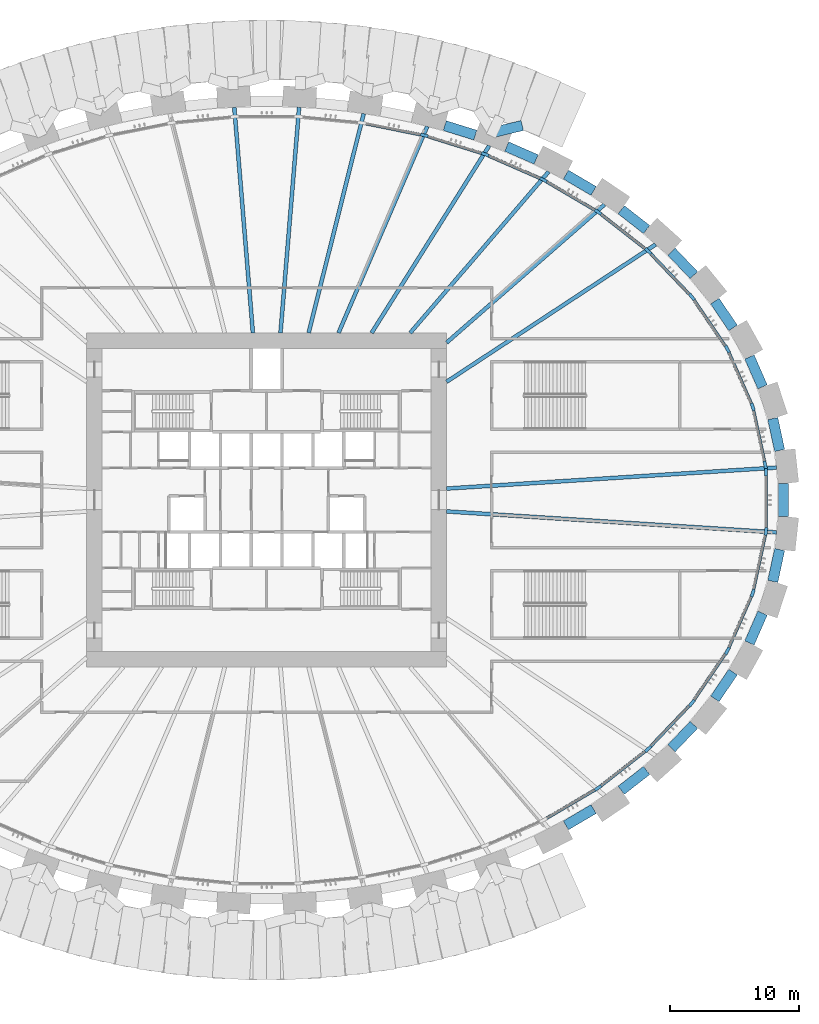
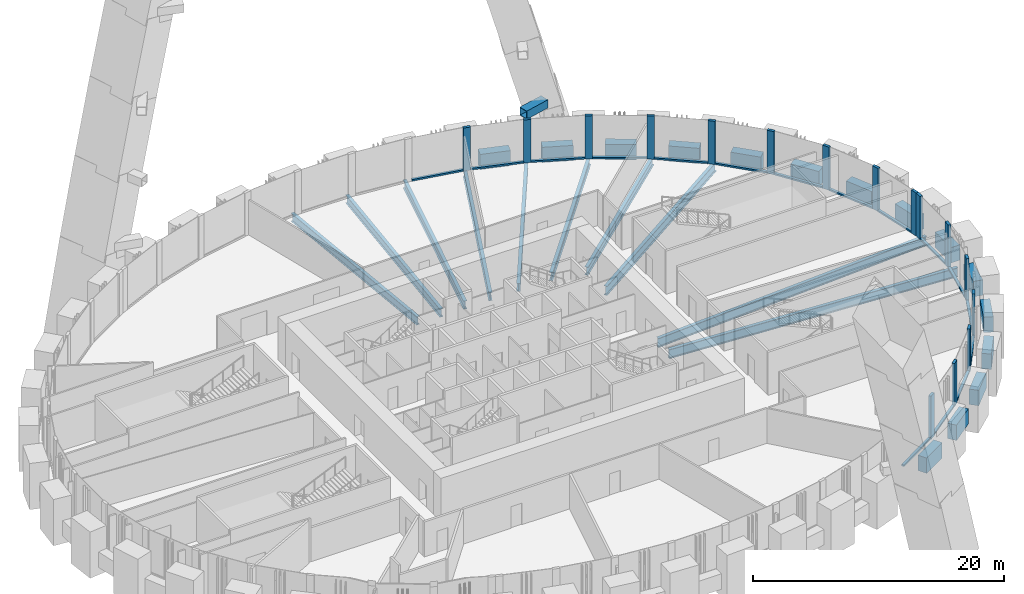
# One storey, part 4 of 23: 33 members, 25 beams, 2 elements without a shape of their own.
"""IFC4 building model written with IfcOpenShell, lengths in metres."""

from ifc_helpers import new_model, si_unit, direction, frame, origin, origin_2d, place, context, subcontext, project, spatial, rectangle, hollow_rectangle, i_section, extrude, source, transform, mapped, material, material_profile, profile_set, type_object, element, aggregate, save


model = new_model("IFC4")

# Units and contexts
model_context = context("Model", 3, precision=1e-05, world=origin(), true_north=direction((0.0, 1.0)))
body_context = subcontext(model_context, "Body", "Model", "MODEL_VIEW")
ifc_project = project(units=[si_unit("LENGTHUNIT", "METRE"), si_unit("AREAUNIT", "SQUARE_METRE"), si_unit("VOLUMEUNIT", "CUBIC_METRE"), si_unit("PLANEANGLEUNIT", "RADIAN"), si_unit("MASSUNIT", "GRAM", prefix="KILO")], contexts=[model_context])

# Site, building, storey
site_placement = place(None, origin())
site = spatial("IfcSite", under=ifc_project, at=site_placement, CompositionType="ELEMENT")
building_placement = place(site_placement, origin())
building = spatial("IfcBuilding", under=site, at=building_placement, Name="Embergate Tower", CompositionType="ELEMENT")
storey_placement = place(building_placement, frame((0.0, 0.0, 29.0)))
storey = spatial("IfcBuildingStorey", under=building, at=storey_placement, Name="L03", CompositionType="ELEMENT", Elevation=29.0)

# Beams
ifc_material_1 = material(Name="Concrete C70", Category="concrete")
ifc_material_profile_1 = material_profile(ifc_material_1, rectangle(XDim=0.800048828125, YDim=1.5, at=origin_2d()), Name="RC 800x1500")
ifc_profile_set_1 = profile_set([ifc_material_profile_1], Name="Concrete C70")
beam_type_1 = type_object("IfcBeamType", Name="Spandrel beam RC 800x1500 C70", PredefinedType="BEAM", material=ifc_profile_set_1)
shared_shape_1 = source(origin(), body_context, "Body", "SweptSolid", [
    extrude(rectangle(XDim=0.800048828125, YDim=1.5, at=origin_2d()), origin(), (0.0, 0.0, 1.0), 2.53369140625),
])
for number, where, z_axis, x_axis, name in (
    (1, (39.905029296875, 3.85302734375, 0.0), (-0.210344985956, 0.977627222863, 0.0), (-0.977627222863, -0.210344985956, 0.0), "SPN-L03-00"),
    (2, (39.3720703125, -6.330078125, 0.0), (0.210344985956, 0.977627222863, 0.0), (-0.977627222863, 0.210344985956, 0.0), "SPN-L03-42"),
):
    element("IfcBeam", number, at=place(storey_placement, frame(where, z_axis=z_axis, x_axis=x_axis)), inside=storey, type_object=beam_type_1, Name=name, PredefinedType="BEAM", context=body_context, shape_type="MappedRepresentation", body=[
        mapped(shared_shape_1, transform((0.0, 0.0, 0.0))),
    ])
shared_shape_2 = source(origin(), body_context, "Body", "SweptSolid", [
    extrude(rectangle(XDim=0.800048828125, YDim=1.5, at=origin_2d()), origin(), (0.0, 0.0, 1.0), 2.530029296875),
])
for number, where, z_axis, x_axis, name in (
    (3, (38.572998046875, 8.803955078125, 0.0), (-0.401603284719, 0.91581373745, 0.0), (-0.91581373745, -0.401603284719, 0.0), "SPN-L03-01"),
    (4, (37.556884765625, -11.12109375, 0.0), (0.401603284719, 0.91581373745, 0.0), (-0.91581373745, 0.401603284719, 0.0), "SPN-L03-41"),
):
    element("IfcBeam", number, at=place(storey_placement, frame(where, z_axis=z_axis, x_axis=x_axis)), inside=storey, type_object=beam_type_1, Name=name, PredefinedType="BEAM", context=body_context, shape_type="MappedRepresentation", body=[
        mapped(shared_shape_2, transform((0.0, 0.0, 0.0))),
    ])
shared_shape_3 = source(origin(), body_context, "Body", "SweptSolid", [
    extrude(rectangle(XDim=0.800048828125, YDim=1.5, at=origin_2d()), origin(), (0.0, 0.0, 1.0), 2.52001953125),
])
for number, where, z_axis, x_axis, name in (
    (5, (36.281005859375, 13.385986328125, 0.0), (-0.562278223056, 0.826948124054, 0.0), (-0.826948124054, -0.562278223056, 0.0), "SPN-L03-02"),
    (6, (34.864013671875, -15.469970703125, 0.0), (0.562278223056, 0.826948124054, 0.0), (-0.826948124054, 0.562278223056, 0.0), "SPN-L03-40"),
):
    element("IfcBeam", number, at=place(storey_placement, frame(where, z_axis=z_axis, x_axis=x_axis)), inside=storey, type_object=beam_type_1, Name=name, PredefinedType="BEAM", context=body_context, shape_type="MappedRepresentation", body=[
        mapped(shared_shape_3, transform((0.0, 0.0, 0.0))),
    ])
shared_shape_4 = source(origin(), body_context, "Body", "SweptSolid", [
    extrude(rectangle(XDim=0.800048828125, YDim=1.5, at=origin_2d()), origin(), (0.0, 0.0, 1.0), 2.513671875),
])
for number, where, z_axis, x_axis, name in (
    (7, (33.23095703125, 17.492919921875, 0.0), (-0.690154595943, 0.723661960931, 0.0), (-0.723661960931, -0.690154595943, 0.0), "SPN-L03-03"),
    (8, (31.49609375, -19.31201171875, 0.0), (0.690154595943, 0.723661960931, 0.0), (-0.723661960931, 0.690154595943, 0.0), "SPN-L03-39"),
):
    element("IfcBeam", number, at=place(storey_placement, frame(where, z_axis=z_axis, x_axis=x_axis)), inside=storey, type_object=beam_type_1, Name=name, PredefinedType="BEAM", context=body_context, shape_type="MappedRepresentation", body=[
        mapped(shared_shape_4, transform((0.0, 0.0, 0.0))),
    ])
shared_shape_5 = source(origin(), body_context, "Body", "SweptSolid", [
    extrude(rectangle(XDim=0.800048828125, YDim=1.5, at=origin_2d()), origin(), (0.0, 0.0, 1.0), 2.5048828125),
])
for number, where, z_axis, x_axis, name in (
    (9, (29.554931640625, 21.0419921875, 0.0), (-0.788380346305, 0.61518812534, 0.0), (-0.61518812534, -0.788380346305, 0.0), "SPN-L03-04"),
    (10, (27.580078125, -22.5830078125, 0.0), (0.788380346305, 0.61518812534, 0.0), (-0.61518812534, 0.788380346305, 0.0), "SPN-L03-38"),
):
    element("IfcBeam", number, at=place(storey_placement, frame(where, z_axis=z_axis, x_axis=x_axis)), inside=storey, type_object=beam_type_1, Name=name, PredefinedType="BEAM", context=body_context, shape_type="MappedRepresentation", body=[
        mapped(shared_shape_5, transform((0.0, 0.0, 0.0))),
    ])
shared_shape_6 = source(origin(), body_context, "Body", "SweptSolid", [
    extrude(rectangle(XDim=0.800048828125, YDim=1.5, at=origin_2d()), origin(), (0.0, 0.0, 1.0), 2.5),
])
for number, where, z_axis, x_axis, name in (
    (11, (25.429931640625, 24.044921875, 0.0), (-0.862034618657, 0.506849401929, 0.0), (-0.506849401929, -0.862034618657, 0.0), "SPN-L03-05"),
    (12, (23.27490234375, -25.31201171875, 0.0), (0.862034618657, 0.506849401929, 0.0), (-0.506849401929, 0.862034618657, 0.0), "SPN-L03-37"),
):
    element("IfcBeam", number, at=place(storey_placement, frame(where, z_axis=z_axis, x_axis=x_axis)), inside=storey, type_object=beam_type_1, Name=name, PredefinedType="BEAM", context=body_context, shape_type="MappedRepresentation", body=[
        mapped(shared_shape_6, transform((0.0, 0.0, 0.0))),
    ])
shared_shape_7 = source(origin(), body_context, "Body", "SweptSolid", [
    extrude(rectangle(XDim=0.800048828125, YDim=1.5, at=origin_2d()), origin(), (0.0, 0.0, 1.0), 2.496337890625),
])
beam_1_placement = place(storey_placement, frame((20.958984375, 26.492919921875, 0.0), z_axis=(-0.916087739171, 0.400977872382, 0.0), x_axis=(-0.400977872382, -0.916087739171, 0.0)))
element("IfcBeam", 13, at=beam_1_placement, inside=storey, type_object=beam_type_1, Name="SPN-L03-06", PredefinedType="BEAM", context=body_context, shape_type="MappedRepresentation", body=[
    mapped(shared_shape_7, transform((0.0, 0.0, 0.0))),
])
shared_shape_8 = source(origin(), body_context, "Body", "SweptSolid", [
    extrude(rectangle(XDim=0.800048828125, YDim=1.5, at=origin_2d()), origin(), (0.0, 0.0, 1.0), 2.49169921875),
])
beam_2_placement = place(storey_placement, frame((16.22900390625, 28.384033203125, 0.0), z_axis=(-0.954758519321, 0.297382194801, 0.0), x_axis=(-0.297382194801, -0.954758519321, 0.0)))
element("IfcBeam", 14, at=beam_2_placement, inside=storey, type_object=beam_type_1, Name="SPN-L03-07", PredefinedType="BEAM", context=body_context, shape_type="MappedRepresentation", body=[
    mapped(shared_shape_8, transform((0.0, 0.0, 0.0))),
])
shared_shape_9 = source(origin(), body_context, "Body", "SweptSolid", [
    extrude(rectangle(XDim=0.800048828125, YDim=1.5, at=origin_2d()), origin(), (0.0, 0.0, 1.0), 2.5400390625),
])
beam_3_placement = place(storey_placement, frame((40.200927734375, -1.27001953125, 0.0), z_axis=(0.0, 1.0, 0.0), x_axis=(-1.0, 0.0, 0.0)))
element("IfcBeam", 15, at=beam_3_placement, inside=storey, type_object=beam_type_1, Name="SPN-L03-43", PredefinedType="BEAM", context=body_context, shape_type="MappedRepresentation", body=[
    mapped(shared_shape_9, transform((0.0, 0.0, 0.0))),
])
ifc_material_2 = material(Name="Steel Q355B", Category="steel")
ifc_material_profile_2 = material_profile(ifc_material_2, i_section(OverallWidth=0.300048828125, OverallDepth=0.89990234375, WebThickness=0.01611328125, FlangeThickness=0.028076171875, FilletRadius=0.028076171875, at=origin_2d()), Name="HN 900x300x16x28")
ifc_profile_set_2 = profile_set([ifc_material_profile_2], Name="Steel Q355 grade B")
beam_type_2 = type_object("IfcBeamType", Name="Radial girder HN 900x300x16x28", PredefinedType="BEAM", material=ifc_profile_set_2)
shared_shape_10 = source(origin(), body_context, "Body", "SweptSolid", [
    extrude(i_section(OverallWidth=0.300048828125, OverallDepth=0.89990234375, WebThickness=0.01611328125, FlangeThickness=0.028076171875, FilletRadius=0.028076171875, at=origin_2d()), origin(), (0.0, 0.0, 1.0), 25.712646484375),
])
for number, where, z_axis, x_axis, name in (
    (16, (39.660888671875, 2.52001953125, -0.75), (-0.997985923003, -0.063435774512, 0.0), (0.063435774512, -0.997985923003, 0.0), "GIR-L03-00"),
    (17, (39.660888671875, -2.52001953125, -0.75), (-0.997985923003, 0.063435774512, 0.0), (-0.063435774512, -0.997985923003, 0.0), "GIR-L03-43"),
):
    element("IfcBeam", number, at=place(storey_placement, frame(where, z_axis=z_axis, x_axis=x_axis)), inside=storey, type_object=beam_type_2, Name=name, PredefinedType="BEAM", context=body_context, shape_type="MappedRepresentation", body=[
        mapped(shared_shape_10, transform((0.0, 0.0, 0.0))),
    ])
shared_shape_11 = source(origin(), body_context, "Body", "SweptSolid", [
    extrude(i_section(OverallWidth=0.300048828125, OverallDepth=0.89990234375, WebThickness=0.01611328125, FlangeThickness=0.028076171875, FilletRadius=0.028076171875, at=origin_2d()), origin(), (0.0, 0.0, 1.0), 19.456787109375),
])
beam_4_placement = place(storey_placement, frame((30.260986328125, 19.883056640625, -0.75), z_axis=(-0.835745789204, -0.549116541208, 0.0), x_axis=(0.549116541208, -0.835745789204, 0.0)))
element("IfcBeam", 18, at=beam_4_placement, inside=storey, type_object=beam_type_2, Name="GIR-L03-04", PredefinedType="BEAM", context=body_context, shape_type="MappedRepresentation", body=[
    mapped(shared_shape_11, transform((0.0, 0.0, 0.0))),
])
ifc_material_profile_3 = material_profile(ifc_material_2, i_section(OverallWidth=0.300048828125, OverallDepth=0.800048828125, WebThickness=0.013916015625, FlangeThickness=0.02587890625, FilletRadius=0.028076171875, at=origin_2d()), Name="HN 800x300x14x26")
ifc_profile_set_3 = profile_set([ifc_material_profile_3], Name="Steel Q355 grade B")
beam_type_3 = type_object("IfcBeamType", Name="Radial girder HN 800x300x14x26", PredefinedType="BEAM", material=ifc_profile_set_3)
shared_shape_12 = source(origin(), body_context, "Body", "SweptSolid", [
    extrude(i_section(OverallWidth=0.300048828125, OverallDepth=0.800048828125, WebThickness=0.013916015625, FlangeThickness=0.02587890625, FilletRadius=0.028076171875, at=origin_2d()), origin(), (0.0, 0.0, 1.0), 16.318359375),
])
beam_5_placement = place(storey_placement, frame((26.283935546875, 22.986083984375, -0.699951171875), z_axis=(-0.752766655838, -0.658287446226, 0.0), x_axis=(0.658287446226, -0.752766655838, 0.0)))
element("IfcBeam", 19, at=beam_5_placement, inside=storey, type_object=beam_type_3, Name="GIR-L03-05", PredefinedType="BEAM", context=body_context, shape_type="MappedRepresentation", body=[
    mapped(shared_shape_12, transform((0.0, 0.0, 0.0))),
])
shared_shape_13 = source(origin(), body_context, "Body", "SweptSolid", [
    extrude(i_section(OverallWidth=0.300048828125, OverallDepth=0.800048828125, WebThickness=0.013916015625, FlangeThickness=0.02587890625, FilletRadius=0.028076171875, at=origin_2d()), origin(), (0.0, 0.0, 1.0), 16.532958984375),
])
beam_6_placement = place(storey_placement, frame((21.93505859375, 25.54296875, -0.699951171875), z_axis=(-0.651484275962, -0.758662137038, 0.0), x_axis=(0.758662137038, -0.651484275962, 0.0)))
element("IfcBeam", 20, at=beam_6_placement, inside=storey, type_object=beam_type_3, Name="GIR-L03-06", PredefinedType="BEAM", context=body_context, shape_type="MappedRepresentation", body=[
    mapped(shared_shape_13, transform((0.0, 0.0, 0.0))),
])
shared_shape_14 = source(origin(), body_context, "Body", "SweptSolid", [
    extrude(i_section(OverallWidth=0.300048828125, OverallDepth=0.800048828125, WebThickness=0.013916015625, FlangeThickness=0.02587890625, FilletRadius=0.028076171875, at=origin_2d()), origin(), (0.0, 0.0, 1.0), 17.198974609375),
])
beam_7_placement = place(storey_placement, frame((17.31103515625, 27.56494140625, -0.699951171875), z_axis=(-0.53183253191, -0.846849548622, 0.0), x_axis=(0.846849548622, -0.53183253191, 0.0)))
element("IfcBeam", 21, at=beam_7_placement, inside=storey, type_object=beam_type_3, Name="GIR-L03-07", PredefinedType="BEAM", context=body_context, shape_type="MappedRepresentation", body=[
    mapped(shared_shape_14, transform((0.0, 0.0, 0.0))),
])
shared_shape_15 = source(origin(), body_context, "Body", "SweptSolid", [
    extrude(i_section(OverallWidth=0.300048828125, OverallDepth=0.800048828125, WebThickness=0.013916015625, FlangeThickness=0.02587890625, FilletRadius=0.028076171875, at=origin_2d()), origin(), (0.0, 0.0, 1.0), 17.4873046875),
])
beam_8_placement = place(storey_placement, frame((12.493896484375, 29.06591796875, -0.699951171875), z_axis=(-0.39491487199, -0.918717717191, 0.0), x_axis=(0.918717717191, -0.39491487199, 0.0)))
element("IfcBeam", 22, at=beam_8_placement, inside=storey, type_object=beam_type_3, Name="GIR-L03-08", PredefinedType="BEAM", context=body_context, shape_type="MappedRepresentation", body=[
    mapped(shared_shape_15, transform((0.0, 0.0, 0.0))),
])
shared_shape_16 = source(origin(), body_context, "Body", "SweptSolid", [
    extrude(i_section(OverallWidth=0.300048828125, OverallDepth=0.800048828125, WebThickness=0.013916015625, FlangeThickness=0.02587890625, FilletRadius=0.028076171875, at=origin_2d()), origin(), (0.0, 0.0, 1.0), 17.58740234375),
])
beam_9_placement = place(storey_placement, frame((7.544921875, 30.05810546875, -0.699951171875), z_axis=(-0.243469663702, -0.969908512622, 0.0), x_axis=(0.969908512622, -0.243469663702, 0.0)))
element("IfcBeam", 23, at=beam_9_placement, inside=storey, type_object=beam_type_3, Name="GIR-L03-09", PredefinedType="BEAM", context=body_context, shape_type="MappedRepresentation", body=[
    mapped(shared_shape_16, transform((0.0, 0.0, 0.0))),
])
shared_shape_17 = source(origin(), body_context, "Body", "SweptSolid", [
    extrude(i_section(OverallWidth=0.300048828125, OverallDepth=0.800048828125, WebThickness=0.013916015625, FlangeThickness=0.02587890625, FilletRadius=0.028076171875, at=origin_2d()), origin(), (0.0, 0.0, 1.0), 17.61083984375),
])
for number, where, z_axis, x_axis, name in (
    (24, (2.52294921875, 30.551025390625, -0.699951171875), (-0.082277913647, -0.996609424462, 0.0), (0.996609424462, -0.082277913647, 0.0), "GIR-L03-10"),
    (25, (-2.52294921875, 30.551025390625, -0.699951171875), (0.082277913647, -0.996609424462, 0.0), (0.996609424462, 0.082277913647, 0.0), "GIR-L03-11"),
):
    element("IfcBeam", number, at=place(storey_placement, frame(where, z_axis=z_axis, x_axis=x_axis)), inside=storey, type_object=beam_type_3, Name=name, PredefinedType="BEAM", context=body_context, shape_type="MappedRepresentation", body=[
        mapped(shared_shape_17, transform((0.0, 0.0, 0.0))),
    ])

# Member
ifc_material_3 = material(Name="Steel Q355D", Category="steel")
ifc_material_profile_4 = material_profile(ifc_material_3, hollow_rectangle(XDim=0.800048828125, YDim=0.800048828125, WallThickness=0.0400390625, at=origin_2d()), Name="BOX 800x800x40")
ifc_profile_set_4 = profile_set([ifc_material_profile_4], Name="Steel Q355 grade D")
member_type_1 = type_object("IfcMemberType", Name="Arch ring tie BOX 800x800x40", PredefinedType="STRUT", material=ifc_profile_set_4)
shared_shape_18 = source(origin(), body_context, "Body", "SweptSolid", [
    extrude(hollow_rectangle(XDim=0.800048828125, YDim=0.800048828125, WallThickness=0.0400390625, at=origin_2d()), origin(), (0.0, 0.0, 1.0), 2.318359375),
])
member_1_placement = place(storey_placement, frame((17.6240234375, 28.597900390625, 3.5), z_axis=(0.9729957038, 0.230823223239, 0.0), x_axis=(-0.230823223239, 0.9729957038, 0.0)))
element("IfcMember", 26, at=member_1_placement, inside=storey, type_object=member_type_1, Name="ARC-N-AT01", PredefinedType="STRUT", context=body_context, shape_type="MappedRepresentation", body=[
    mapped(shared_shape_18, transform((0.0, 0.0, 0.0))),
])

# Curtain wall, members
ifc_material_4 = material(Name="Aluminium and glass", Category="aluminium")
curtain_wall_type = type_object("IfcCurtainWallType", Name="Podium base glazing", PredefinedType="NOTDEFINED", material=ifc_material_4)
curtain_wall_1_placement = place(storey_placement, origin())
curtain_wall_1 = element("IfcCurtainWall", 27, at=curtain_wall_1_placement, inside=storey, type_object=curtain_wall_type, Name="Podium base glazing run 1", ObjectType="PODIUM BASE GLAZING", PredefinedType="USERDEFINED")
ifc_material_5 = material(Name="Aluminium, thermally broken", Category="aluminium")
ifc_material_profile_5 = material_profile(ifc_material_5, rectangle(XDim=0.239990234375, YDim=0.60009765625, at=origin_2d()), Name="AL 600x240")
ifc_profile_set_5 = profile_set([ifc_material_profile_5], Name="Aluminium, thermally broken")
member_type_2 = type_object("IfcMemberType", Name="Base mullion", PredefinedType="MULLION", material=ifc_profile_set_5)
shared_shape_19 = source(origin(), body_context, "Body", "SweptSolid", [
    extrude(rectangle(XDim=0.239990234375, YDim=0.60009765625, at=origin_2d()), origin(), (0.0, 0.0, 1.0), 4.199951171875),
])
member_2_placement = place(storey_placement, frame((38.778564453125, 2.742431640625, 0.0), z_axis=(0.0, 0.0, 1.0), x_axis=(-0.97761683237, -0.21039327239, 0.0)))
member_2 = element("IfcMember", 28, at=member_2_placement, type_object=member_type_2, Name="CW mullion 1", PredefinedType="MULLION", context=body_context, shape_type="MappedRepresentation", body=[
    mapped(shared_shape_19, transform((0.0, 0.0, 0.0))),
])
member_3_placement = place(storey_placement, frame((37.810546875, 7.24072265625, 0.0), z_axis=(0.0, 0.0, 1.0), x_axis=(-0.95149994581, -0.307648912111, 0.0)))
member_3 = element("IfcMember", 29, at=member_3_placement, type_object=member_type_2, Name="CW mullion 2", PredefinedType="MULLION", context=body_context, shape_type="MappedRepresentation", body=[
    mapped(shared_shape_19, transform((0.0, 0.0, 0.0))),
])
member_4_placement = place(storey_placement, frame((35.839111328125, 11.736083984375, 0.0), z_axis=(0.0, 0.0, 1.0), x_axis=(-0.875006965472, -0.484110328723, 0.0)))
member_4 = element("IfcMember", 30, at=member_4_placement, type_object=member_type_2, Name="CW mullion 3", PredefinedType="MULLION", context=body_context, shape_type="MappedRepresentation", body=[
    mapped(shared_shape_19, transform((0.0, 0.0, 0.0))),
])
member_5_placement = place(storey_placement, frame((33.073486328125, 15.802978515625, 0.0), z_axis=(0.0, 0.0, 1.0), x_axis=(-0.777880241921, -0.628412547002, 0.0)))
member_5 = element("IfcMember", 31, at=member_5_placement, type_object=member_type_2, Name="CW mullion 4", PredefinedType="MULLION", context=body_context, shape_type="MappedRepresentation", body=[
    mapped(shared_shape_19, transform((0.0, 0.0, 0.0))),
])
member_6_placement = place(storey_placement, frame((29.6728515625, 19.368896484375, 0.0), z_axis=(0.0, 0.0, 1.0), x_axis=(-0.671235590011, -0.741244077684, 0.0)))
member_6 = element("IfcMember", 32, at=member_6_placement, type_object=member_type_2, Name="CW mullion 5", PredefinedType="MULLION", context=body_context, shape_type="MappedRepresentation", body=[
    mapped(shared_shape_19, transform((0.0, 0.0, 0.0))),
])
member_7_placement = place(storey_placement, frame((25.7822265625, 22.405517578125, 0.0), z_axis=(0.0, 0.0, 1.0), x_axis=(-0.562226278725, -0.826983440893, 0.0)))
member_7 = element("IfcMember", 33, at=member_7_placement, type_object=member_type_2, Name="CW mullion 6", PredefinedType="MULLION", context=body_context, shape_type="MappedRepresentation", body=[
    mapped(shared_shape_19, transform((0.0, 0.0, 0.0))),
])
member_8_placement = place(storey_placement, frame((21.522216796875, 24.91015625, 0.0), z_axis=(0.0, 0.0, 1.0), x_axis=(-0.45451915369, -0.89073696394, 0.0)))
member_8 = element("IfcMember", 34, at=member_8_placement, type_object=member_type_2, Name="CW mullion 7", PredefinedType="MULLION", context=body_context, shape_type="MappedRepresentation", body=[
    mapped(shared_shape_19, transform((0.0, 0.0, 0.0))),
])
member_9_placement = place(storey_placement, frame((16.98974609375, 26.89208984375, 0.0), z_axis=(0.0, 0.0, 1.0), x_axis=(-0.349509223885, -0.936932923116, 0.0)))
member_9 = element("IfcMember", 35, at=member_9_placement, type_object=member_type_2, Name="CW mullion 8", PredefinedType="MULLION", context=body_context, shape_type="MappedRepresentation", body=[
    mapped(shared_shape_19, transform((0.0, 0.0, 0.0))),
])
member_10_placement = place(storey_placement, frame((12.263427734375, 28.364013671875, 0.0), z_axis=(0.0, 0.0, 1.0), x_axis=(-0.247316954703, -0.968934633459, 0.0)))
member_10 = element("IfcMember", 36, at=member_10_placement, type_object=member_type_2, Name="CW mullion 9", PredefinedType="MULLION", context=body_context, shape_type="MappedRepresentation", body=[
    mapped(shared_shape_19, transform((0.0, 0.0, 0.0))),
])

curtain_wall_2_placement = place(storey_placement, origin())
curtain_wall_2 = element("IfcCurtainWall", 37, at=curtain_wall_2_placement, inside=storey, type_object=curtain_wall_type, Name="Podium base glazing run 3", ObjectType="PODIUM BASE GLAZING", PredefinedType="USERDEFINED")
member_11_placement = place(storey_placement, frame((25.7822265625, -22.405517578125, 0.0), z_axis=(0.0, 0.0, 1.0), x_axis=(-0.562226278725, 0.826983440893, 0.0)))
member_11 = element("IfcMember", 38, at=member_11_placement, type_object=member_type_2, Name="CW mullion 10", PredefinedType="MULLION", context=body_context, shape_type="MappedRepresentation", body=[
    mapped(shared_shape_19, transform((0.0, 0.0, 0.0))),
])
member_12_placement = place(storey_placement, frame((29.6728515625, -19.368896484375, 0.0), z_axis=(0.0, 0.0, 1.0), x_axis=(-0.671235590011, 0.741244077684, 0.0)))
member_12 = element("IfcMember", 39, at=member_12_placement, type_object=member_type_2, Name="CW mullion 11", PredefinedType="MULLION", context=body_context, shape_type="MappedRepresentation", body=[
    mapped(shared_shape_19, transform((0.0, 0.0, 0.0))),
])
member_13_placement = place(storey_placement, frame((33.073486328125, -15.802978515625, 0.0), z_axis=(0.0, 0.0, 1.0), x_axis=(-0.777880241921, 0.628412547002, 0.0)))
member_13 = element("IfcMember", 40, at=member_13_placement, type_object=member_type_2, Name="CW mullion 12", PredefinedType="MULLION", context=body_context, shape_type="MappedRepresentation", body=[
    mapped(shared_shape_19, transform((0.0, 0.0, 0.0))),
])
member_14_placement = place(storey_placement, frame((35.839111328125, -11.736083984375, 0.0), z_axis=(0.0, 0.0, 1.0), x_axis=(-0.875006965472, 0.484110328723, 0.0)))
member_14 = element("IfcMember", 41, at=member_14_placement, type_object=member_type_2, Name="CW mullion 13", PredefinedType="MULLION", context=body_context, shape_type="MappedRepresentation", body=[
    mapped(shared_shape_19, transform((0.0, 0.0, 0.0))),
])
member_15_placement = place(storey_placement, frame((37.810546875, -7.24072265625, 0.0), z_axis=(0.0, 0.0, 1.0), x_axis=(-0.95149994581, 0.307648912111, 0.0)))
member_15 = element("IfcMember", 42, at=member_15_placement, type_object=member_type_2, Name="CW mullion 14", PredefinedType="MULLION", context=body_context, shape_type="MappedRepresentation", body=[
    mapped(shared_shape_19, transform((0.0, 0.0, 0.0))),
])
member_16_placement = place(storey_placement, frame((38.841796875, -2.44921875, 0.0), z_axis=(0.0, 0.0, 1.0), x_axis=(-0.994385139431, 0.105821521816, 0.0)))
member_16 = element("IfcMember", 43, at=member_16_placement, type_object=member_type_2, Name="CW mullion 15", PredefinedType="MULLION", context=body_context, shape_type="MappedRepresentation", body=[
    mapped(shared_shape_19, transform((0.0, 0.0, 0.0))),
])
member_17_placement = place(storey_placement, frame((38.841796875, 2.149169921875, 0.0), z_axis=(0.0, 0.0, 1.0), x_axis=(-1.0, 0.0, 0.0)))
member_17 = element("IfcMember", 44, at=member_17_placement, type_object=member_type_2, Name="CW mullion 16", PredefinedType="MULLION", context=body_context, shape_type="MappedRepresentation", body=[
    mapped(shared_shape_19, transform((0.0, 0.0, 0.0))),
])

# Member
ifc_material_profile_6 = material_profile(ifc_material_5, rectangle(XDim=0.239990234375, YDim=0.159912109375, at=origin_2d()), Name="AL 160x240")
ifc_profile_set_6 = profile_set([ifc_material_profile_6], Name="Aluminium, thermally broken")
member_type_3 = type_object("IfcMemberType", Name="Base transom", PredefinedType="USERDEFINED", material=ifc_profile_set_6)
shared_shape_20 = source(origin(), body_context, "Body", "SweptSolid", [
    extrude(rectangle(XDim=0.239990234375, YDim=0.159912109375, at=origin_2d()), origin(), (0.0, 0.0, 1.0), 4.00146484375),
])
member_18_placement = place(storey_placement, frame((38.715576171875, 3.03564453125, 0.080078125), z_axis=(-0.210374867064, 0.977620793205, 0.0), x_axis=(-0.977620793205, -0.210374867064, 0.0)))
member_18 = element("IfcMember", 45, at=member_18_placement, type_object=member_type_3, Name="CW transom 1.1", ObjectType="TRANSOM", PredefinedType="USERDEFINED", context=body_context, shape_type="MappedRepresentation", body=[
    mapped(shared_shape_20, transform((0.0, 0.0, 0.0))),
])

shared_shape_21 = source(origin(), body_context, "Body", "SweptSolid", [
    extrude(rectangle(XDim=0.239990234375, YDim=0.159912109375, at=origin_2d()), origin(), (0.0, 0.0, 1.0), 4.30859375),
])
member_19_placement = place(storey_placement, frame((37.690185546875, 7.515380859375, 0.080078125), z_axis=(-0.401680670159, 0.915779798435, 0.0), x_axis=(-0.915779798435, -0.401680670159, 0.0)))
member_19 = element("IfcMember", 46, at=member_19_placement, type_object=member_type_3, Name="CW transom 2.1", ObjectType="TRANSOM", PredefinedType="USERDEFINED", context=body_context, shape_type="MappedRepresentation", body=[
    mapped(shared_shape_21, transform((0.0, 0.0, 0.0))),
])

member_20_placement = place(storey_placement, frame((35.95947265625, -11.461181640625, 0.080078125), z_axis=(0.401680670159, 0.915779798435, 0.0), x_axis=(-0.915779798435, 0.401680670159, 0.0)))
member_20 = element("IfcMember", 47, at=member_20_placement, type_object=member_type_3, Name="CW transom 13.1", ObjectType="TRANSOM", PredefinedType="USERDEFINED", context=body_context, shape_type="MappedRepresentation", body=[
    mapped(shared_shape_21, transform((0.0, 0.0, 0.0))),
])

shared_shape_22 = source(origin(), body_context, "Body", "SweptSolid", [
    extrude(rectangle(XDim=0.239990234375, YDim=0.159912109375, at=origin_2d()), origin(), (0.0, 0.0, 1.0), 4.318115234375),
])
member_21_placement = place(storey_placement, frame((35.67041015625, 11.984130859375, 0.080078125), z_axis=(-0.562348683392, 0.826900210598, 0.0), x_axis=(-0.826900210598, -0.562348683392, 0.0)))
member_21 = element("IfcMember", 48, at=member_21_placement, type_object=member_type_3, Name="CW transom 3.1", ObjectType="TRANSOM", PredefinedType="USERDEFINED", context=body_context, shape_type="MappedRepresentation", body=[
    mapped(shared_shape_22, transform((0.0, 0.0, 0.0))),
])

member_22_placement = place(storey_placement, frame((33.2421875, -15.5546875, 0.080078125), z_axis=(0.562348683392, 0.826900210598, 0.0), x_axis=(-0.826900210598, 0.562348683392, 0.0)))
member_22 = element("IfcMember", 49, at=member_22_placement, type_object=member_type_3, Name="CW transom 12.1", ObjectType="TRANSOM", PredefinedType="USERDEFINED", context=body_context, shape_type="MappedRepresentation", body=[
    mapped(shared_shape_22, transform((0.0, 0.0, 0.0))),
])

shared_shape_23 = source(origin(), body_context, "Body", "SweptSolid", [
    extrude(rectangle(XDim=0.239990234375, YDim=0.159912109375, at=origin_2d()), origin(), (0.0, 0.0, 1.0), 4.327392578125),
])
member_23_placement = place(storey_placement, frame((32.866455078125, 16.02001953125, 0.080078125), z_axis=(-0.690152300069, 0.723664150493, 0.0), x_axis=(-0.723664150493, -0.690152300069, 0.0)))
member_23 = element("IfcMember", 50, at=member_23_placement, type_object=member_type_3, Name="CW transom 4.1", ObjectType="TRANSOM", PredefinedType="USERDEFINED", context=body_context, shape_type="MappedRepresentation", body=[
    mapped(shared_shape_23, transform((0.0, 0.0, 0.0))),
])

member_24_placement = place(storey_placement, frame((29.8798828125, -19.151611328125, 0.080078125), z_axis=(0.690152300069, 0.723664150493, 0.0), x_axis=(-0.723664150493, 0.690152300069, 0.0)))
member_24 = element("IfcMember", 51, at=member_24_placement, type_object=member_type_3, Name="CW transom 11.1", ObjectType="TRANSOM", PredefinedType="USERDEFINED", context=body_context, shape_type="MappedRepresentation", body=[
    mapped(shared_shape_23, transform((0.0, 0.0, 0.0))),
])

shared_shape_24 = source(origin(), body_context, "Body", "SweptSolid", [
    extrude(rectangle(XDim=0.239990234375, YDim=0.159912109375, at=origin_2d()), origin(), (0.0, 0.0, 1.0), 4.335205078125),
])
member_25_placement = place(storey_placement, frame((29.436279296875, 19.553466796875, 0.080078125), z_axis=(-0.788295797009, 0.615296462218, 0.0), x_axis=(-0.615296462218, -0.788295797009, 0.0)))
member_25 = element("IfcMember", 52, at=member_25_placement, type_object=member_type_3, Name="CW transom 5.1", ObjectType="TRANSOM", PredefinedType="USERDEFINED", context=body_context, shape_type="MappedRepresentation", body=[
    mapped(shared_shape_24, transform((0.0, 0.0, 0.0))),
])

member_26_placement = place(storey_placement, frame((26.018798828125, -22.220947265625, 0.080078125), z_axis=(0.788295797009, 0.615296462218, 0.0), x_axis=(-0.615296462218, 0.788295797009, 0.0)))
member_26 = element("IfcMember", 53, at=member_26_placement, type_object=member_type_3, Name="CW transom 10.1", ObjectType="TRANSOM", PredefinedType="USERDEFINED", context=body_context, shape_type="MappedRepresentation", body=[
    mapped(shared_shape_24, transform((0.0, 0.0, 0.0))),
])

shared_shape_25 = source(origin(), body_context, "Body", "SweptSolid", [
    extrude(rectangle(XDim=0.239990234375, YDim=0.159912109375, at=origin_2d()), origin(), (0.0, 0.0, 1.0), 4.341796875),
])
member_27_placement = place(storey_placement, frame((25.523681640625, 22.5576171875, 0.080078125), z_axis=(-0.862062837131, 0.506801405718, 0.0), x_axis=(-0.506801405718, -0.862062837131, 0.0)))
member_27 = element("IfcMember", 54, at=member_27_placement, type_object=member_type_3, Name="CW transom 6.1", ObjectType="TRANSOM", PredefinedType="USERDEFINED", context=body_context, shape_type="MappedRepresentation", body=[
    mapped(shared_shape_25, transform((0.0, 0.0, 0.0))),
])

member_28_placement = place(storey_placement, frame((21.78076171875, -24.758056640625, 0.080078125), z_axis=(0.862062837131, 0.506801405718, 0.0), x_axis=(-0.506801405718, 0.862062837131, 0.0)))
member_28 = element("IfcMember", 55, at=member_28_placement, type_object=member_type_3, Name="CW transom 9.1", ObjectType="TRANSOM", PredefinedType="USERDEFINED", context=body_context, shape_type="MappedRepresentation", body=[
    mapped(shared_shape_25, transform((0.0, 0.0, 0.0))),
])

shared_shape_26 = source(origin(), body_context, "Body", "SweptSolid", [
    extrude(rectangle(XDim=0.239990234375, YDim=0.159912109375, at=origin_2d()), origin(), (0.0, 0.0, 1.0), 4.3466796875),
])
member_29_placement = place(storey_placement, frame((21.247314453125, 25.0302734375, 0.080078125), z_axis=(-0.916238526836, 0.400633201246, 0.0), x_axis=(-0.400633201246, -0.916238526836, 0.0)))
member_29 = element("IfcMember", 56, at=member_29_placement, type_object=member_type_3, Name="CW transom 7.1", ObjectType="TRANSOM", PredefinedType="USERDEFINED", context=body_context, shape_type="MappedRepresentation", body=[
    mapped(shared_shape_26, transform((0.0, 0.0, 0.0))),
])

shared_shape_27 = source(origin(), body_context, "Body", "SweptSolid", [
    extrude(rectangle(XDim=0.239990234375, YDim=0.159912109375, at=origin_2d()), origin(), (0.0, 0.0, 1.0), 4.350341796875),
])
member_30_placement = place(storey_placement, frame((16.703369140625, 26.981201171875, 0.080078125), z_axis=(-0.954760152923, 0.297376949999, 0.0), x_axis=(-0.297376949999, -0.954760152923, 0.0)))
member_30 = element("IfcMember", 57, at=member_30_placement, type_object=member_type_3, Name="CW transom 8.1", ObjectType="TRANSOM", PredefinedType="USERDEFINED", context=body_context, shape_type="MappedRepresentation", body=[
    mapped(shared_shape_27, transform((0.0, 0.0, 0.0))),
])

shared_shape_28 = source(origin(), body_context, "Body", "SweptSolid", [
    extrude(rectangle(XDim=0.239990234375, YDim=0.159912109375, at=origin_2d()), origin(), (0.0, 0.0, 1.0), 4.3525390625),
])
member_31_placement = place(storey_placement, frame((11.96923828125, 28.423095703125, 0.080078125), z_axis=(-0.980483473703, 0.196601520328, 0.0), x_axis=(-0.196601520328, -0.980483473703, 0.0)))
member_31 = element("IfcMember", 58, at=member_31_placement, type_object=member_type_3, Name="CW transom 9.1", ObjectType="TRANSOM", PredefinedType="USERDEFINED", context=body_context, shape_type="MappedRepresentation", body=[
    mapped(shared_shape_28, transform((0.0, 0.0, 0.0))),
])

aggregate(curtain_wall_1, [member_2, member_3, member_4, member_5, member_6, member_7, member_8, member_9, member_10, member_18, member_19, member_21, member_23, member_25, member_27, member_29, member_30, member_31])

shared_shape_29 = source(origin(), body_context, "Body", "SweptSolid", [
    extrude(rectangle(XDim=0.239990234375, YDim=0.159912109375, at=origin_2d()), origin(), (0.0, 0.0, 1.0), 4.30126953125),
])
member_32_placement = place(storey_placement, frame((37.873779296875, -6.947509765625, 0.080078125), z_axis=(0.210350781837, 0.977625975811, 0.0), x_axis=(-0.977625975811, 0.210350781837, 0.0)))
member_32 = element("IfcMember", 59, at=member_32_placement, type_object=member_type_3, Name="CW transom 14.1", ObjectType="TRANSOM", PredefinedType="USERDEFINED", context=body_context, shape_type="MappedRepresentation", body=[
    mapped(shared_shape_29, transform((0.0, 0.0, 0.0))),
])

shared_shape_30 = source(origin(), body_context, "Body", "SweptSolid", [
    extrude(rectangle(XDim=0.239990234375, YDim=0.159912109375, at=origin_2d()), origin(), (0.0, 0.0, 1.0), 3.998291015625),
])
member_33_placement = place(storey_placement, frame((38.841796875, -2.149169921875, 0.080078125), z_axis=(0.0, 1.0, 0.0), x_axis=(-1.0, 0.0, 0.0)))
member_33 = element("IfcMember", 60, at=member_33_placement, type_object=member_type_3, Name="CW transom 15.1", ObjectType="TRANSOM", PredefinedType="USERDEFINED", context=body_context, shape_type="MappedRepresentation", body=[
    mapped(shared_shape_30, transform((0.0, 0.0, 0.0))),
])

aggregate(curtain_wall_2, [member_11, member_12, member_13, member_14, member_15, member_16, member_17, member_28, member_26, member_24, member_22, member_20, member_32, member_33])

save(model, "model.ifc")
